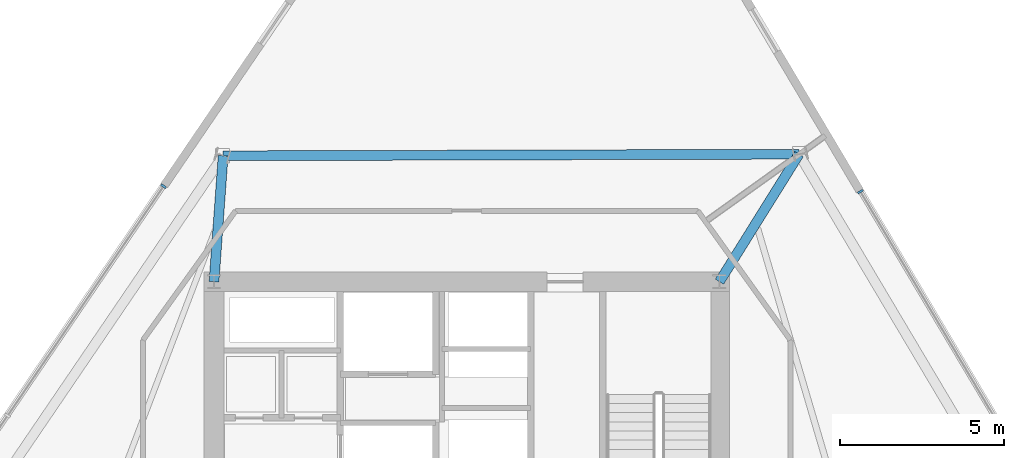
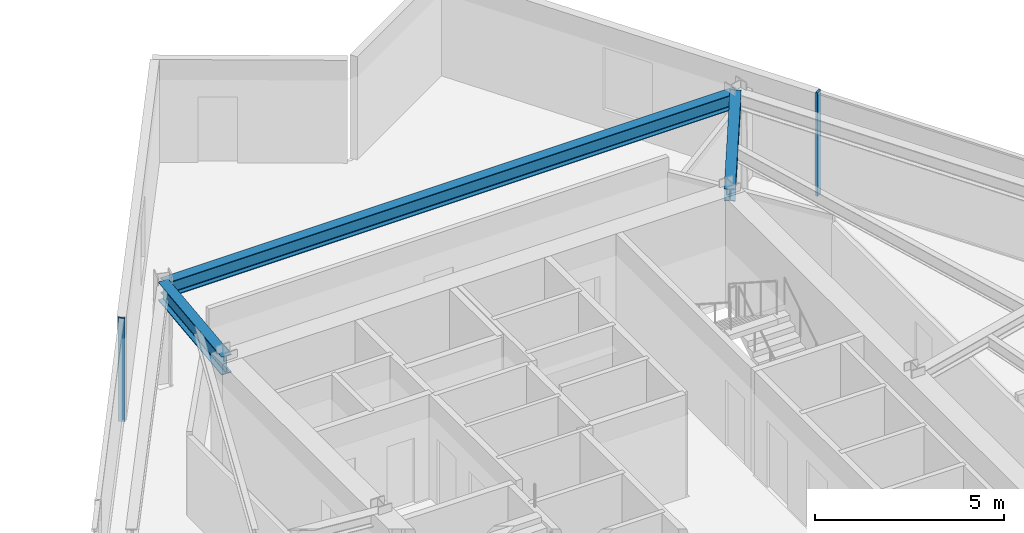
# One storey, part 6 of 15: 3 beams, 2 members, 2 elements without a shape of their own.
"""IFC4 building model written with IfcOpenShell, lengths in metres."""

from ifc_helpers import new_model, si_unit, direction, frame, origin, origin_2d, place, context, subcontext, project, spatial, rectangle, i_section, extrude, material, material_profile, profile_set, type_object, element, aggregate, save


model = new_model("IFC4")

# Units and contexts
model_context = context("Model", 3, precision=1e-05, world=origin(), true_north=direction((0.0, 1.0)))
body_context = subcontext(model_context, "Body", "Model", "MODEL_VIEW")
ifc_project = project(units=[si_unit("LENGTHUNIT", "METRE"), si_unit("AREAUNIT", "SQUARE_METRE"), si_unit("VOLUMEUNIT", "CUBIC_METRE"), si_unit("PLANEANGLEUNIT", "RADIAN"), si_unit("MASSUNIT", "GRAM", prefix="KILO")], contexts=[model_context])

# Site, building, storey
site_placement = place(None, origin())
site = spatial("IfcSite", under=ifc_project, at=site_placement, CompositionType="ELEMENT")
building_placement = place(site_placement, origin())
building = spatial("IfcBuilding", under=site, at=building_placement, Name="Savorim Split Tower", CompositionType="ELEMENT")
storey_placement = place(building_placement, frame((0.0, 0.0, 89.699951171875)))
storey = spatial("IfcBuildingStorey", under=building, at=storey_placement, Name="L23", CompositionType="ELEMENT", Elevation=89.699951171875)

# Beams
ifc_material_1 = material(Name="Steel S355", Category="steel")
ifc_material_profile_1 = material_profile(ifc_material_1, i_section(OverallWidth=0.300048828125, OverallDepth=0.39990234375, WebThickness=0.013427734375, FlangeThickness=0.02392578125, FilletRadius=0.027099609375, at=origin_2d()), Name="HEB 400")
ifc_profile_set_1 = profile_set([ifc_material_profile_1], Name="Steel S355")
beam_type_1 = type_object("IfcBeamType", Name="BM-PRI-HEB400", PredefinedType="BEAM", material=ifc_profile_set_1)
beam_1_placement = place(storey_placement, frame((10.125, 14.085693359375, 3.150146484375), z_axis=(-0.529443054014, -0.848345479481, 0.0), x_axis=(0.848345479481, -0.529443054014, 0.0)))
element("IfcBeam", 1, at=beam_1_placement, inside=storey, type_object=beam_type_1, Name="L23 Primary Floor Girder RG-07", PredefinedType="BEAM", context=body_context, shape_type="SweptSolid", body=[
    extrude(i_section(OverallWidth=0.300048828125, OverallDepth=0.39990234375, WebThickness=0.013427734375, FlangeThickness=0.02392578125, FilletRadius=0.027099609375, at=origin_2d()), origin(), (0.0, 0.0, 1.0), 4.580322265625),
])
ifc_material_profile_2 = material_profile(ifc_material_1, i_section(OverallWidth=0.300048828125, OverallDepth=0.60009765625, WebThickness=0.015380859375, FlangeThickness=0.030029296875, FilletRadius=0.027099609375, at=origin_2d()), Name="HEB 600")
ifc_profile_set_2 = profile_set([ifc_material_profile_2], Name="Steel S355")
beam_type_2 = type_object("IfcBeamType", Name="BM-PRI-HEB600", PredefinedType="BEAM", material=ifc_profile_set_2)
beam_2_placement = place(storey_placement, frame((-7.421875, 14.036865234375, 3.050048828125), z_axis=(-0.072284325012, -0.997384066625, 0.0), x_axis=(0.997384066625, -0.072284325012, 0.0)))
element("IfcBeam", 2, at=beam_2_placement, inside=storey, type_object=beam_type_2, Name="L23 Primary Floor Girder RG-08", PredefinedType="BEAM", context=body_context, shape_type="SweptSolid", body=[
    extrude(i_section(OverallWidth=0.300048828125, OverallDepth=0.60009765625, WebThickness=0.015380859375, FlangeThickness=0.030029296875, FilletRadius=0.027099609375, at=origin_2d()), origin(), (0.0, 0.0, 1.0), 3.846923828125),
])
ifc_material_profile_3 = material_profile(ifc_material_1, i_section(OverallWidth=0.300048828125, OverallDepth=0.489990234375, WebThickness=0.011962890625, FlangeThickness=0.02294921875, FilletRadius=0.027099609375, at=origin_2d()), Name="HEA 500")
ifc_profile_set_3 = profile_set([ifc_material_profile_3], Name="Steel S355")
beam_type_3 = type_object("IfcBeamType", Name="BM-SPN-HEA500", PredefinedType="SPANDREL", material=ifc_profile_set_3)
beam_3_placement = place(storey_placement, frame((10.125, 14.085693359375, 3.10498046875), z_axis=(-0.999996128244, -0.00278271407, 0.0), x_axis=(0.00278271407, -0.999996128244, 0.0)))
element("IfcBeam", 3, at=beam_3_placement, inside=storey, type_object=beam_type_3, Name="L23 Perimeter Spandrel Beam 7", PredefinedType="SPANDREL", context=body_context, shape_type="SweptSolid", body=[
    extrude(i_section(OverallWidth=0.300048828125, OverallDepth=0.489990234375, WebThickness=0.011962890625, FlangeThickness=0.02294921875, FilletRadius=0.027099609375, at=origin_2d()), origin(), (0.0, 0.0, 1.0), 17.546875),
])

# Curtain wall, member
ifc_material_2 = material(Name="Dark Ceramic-Fritted Insulated Glass", Category="glass")
curtain_wall_type = type_object("IfcCurtainWallType", Name="CW-TWR-FRIT-A", PredefinedType="NOTDEFINED", material=ifc_material_2)
curtain_wall_1_placement = place(storey_placement, origin())
curtain_wall_1 = element("IfcCurtainWall", 4, at=curtain_wall_1_placement, inside=storey, type_object=curtain_wall_type, Name="L23 Curtain Wall CW-L23-EAST", PredefinedType="NOTDEFINED")
ifc_material_3 = material(Name="Charcoal Anodised Aluminium", Category="aluminium")
ifc_material_profile_4 = material_profile(ifc_material_3, rectangle(XDim=0.179931640625, YDim=0.06494140625, at=origin_2d()), Name="ALU-M 180x65")
ifc_profile_set_4 = profile_set([ifc_material_profile_4], Name="Charcoal Anodised Aluminium")
member_type = type_object("IfcMemberType", Name="CWM-180x65", PredefinedType="MULLION", material=ifc_profile_set_4)
member_1_placement = place(storey_placement, frame((11.993408203125, 12.94482421875, 0.0), z_axis=(0.0, 0.0, 1.0), x_axis=(-0.859524537852, -0.511094481315, 0.0)))
member_1 = element("IfcMember", 5, at=member_1_placement, type_object=member_type, Name="CW-02 mullion 5", PredefinedType="MULLION", context=body_context, shape_type="SweptSolid", body=[
    extrude(rectangle(XDim=0.179931640625, YDim=0.06494140625, at=origin_2d()), origin(), (0.0, 0.0, 1.0), 3.35009765625),
])
aggregate(curtain_wall_1, [member_1])

curtain_wall_2_placement = place(storey_placement, origin())
curtain_wall_2 = element("IfcCurtainWall", 6, at=curtain_wall_2_placement, inside=storey, type_object=curtain_wall_type, Name="L23 Curtain Wall CW-L23-WEST", PredefinedType="NOTDEFINED")
member_2_placement = place(storey_placement, frame((-9.235595703125, 13.109130859375, 0.0), z_axis=(0.0, 0.0, 1.0), x_axis=(0.826819383915, -0.562467515846, 0.0)))
member_2 = element("IfcMember", 7, at=member_2_placement, type_object=member_type, Name="CW-02 mullion 1", PredefinedType="MULLION", context=body_context, shape_type="SweptSolid", body=[
    extrude(rectangle(XDim=0.179931640625, YDim=0.06494140625, at=origin_2d()), origin(), (0.0, 0.0, 1.0), 3.35009765625),
])
aggregate(curtain_wall_2, [member_2])

save(model, "model.ifc")
